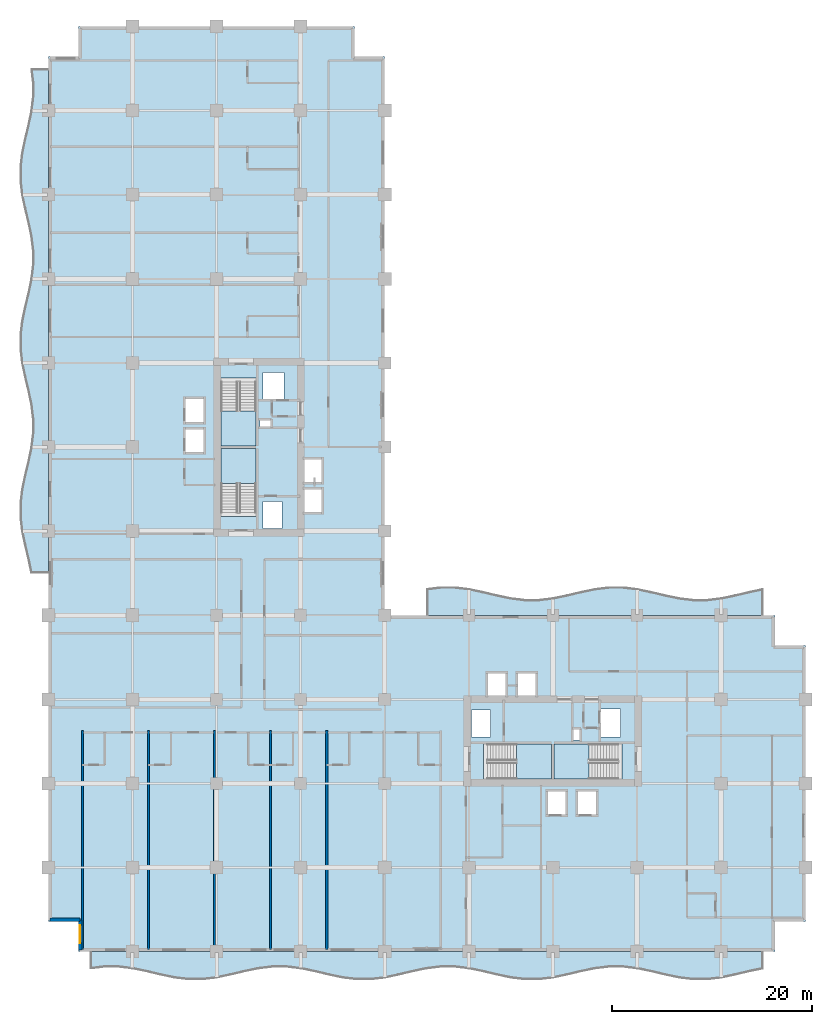
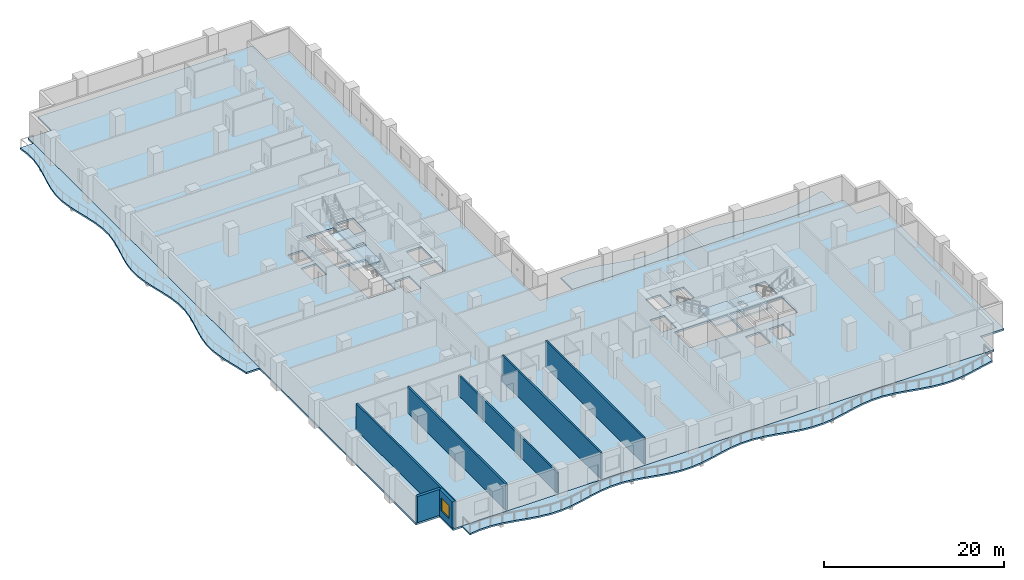
# One storey, part 3 of 17: 8 slabs, 7 walls, 1 window, 1 opening, 4 elements without a shape of their own.
"""IFC4 building model written with IfcOpenShell, lengths in metres."""

from ifc_helpers import new_model, si_unit, direction, frame, frame_2d, origin, place, context, subcontext, project, spatial, polyline, rectangle, outline, extrude, material, layer, layer_set, type_object, element, fill, aggregate, save


model = new_model("IFC4")

# Units and contexts
model_context = context("Model", 3, precision=1e-05, world=origin(), true_north=direction((0.0, 1.0)))
body_context = subcontext(model_context, "Body", "Model", "MODEL_VIEW")
ifc_project = project(units=[si_unit("LENGTHUNIT", "METRE"), si_unit("AREAUNIT", "SQUARE_METRE"), si_unit("VOLUMEUNIT", "CUBIC_METRE"), si_unit("PLANEANGLEUNIT", "RADIAN"), si_unit("MASSUNIT", "GRAM", prefix="KILO")], contexts=[model_context])

# Site, building, storey
site_placement = place(None, origin())
site = spatial("IfcSite", under=ifc_project, at=site_placement, CompositionType="ELEMENT")
building_placement = place(site_placement, origin())
building = spatial("IfcBuilding", under=site, at=building_placement, Name="Koriwani Terraces Tower", CompositionType="ELEMENT")
storey_placement = place(building_placement, frame((0.0, 0.0, 130.39990234375)))
storey = spatial("IfcBuildingStorey", under=building, at=storey_placement, Name="L31", CompositionType="ELEMENT", Elevation=130.39990234375)

# Slabs
ifc_material_1 = material(Name="Concrete C40/50", Category="concrete")
ifc_layer_1 = layer(ifc_material_1, 0.219970703125, Name="Concrete C40/50")
ifc_layer_set_1 = layer_set([ifc_layer_1], Name="Concrete C40/50")
slab_type_1 = type_object("IfcSlabType", Name="SLAB_BALCONY_220", PredefinedType="FLOOR", material=ifc_layer_set_1)
slab_1_placement = place(storey_placement, frame((0.0, 0.0, -0.219970703125)))
element("IfcSlab", 1, at=slab_1_placement, inside=storey, type_object=slab_type_1, Name="L31 Quilted Circular-Arc Balcony (S)", PredefinedType="FLOOR", context=body_context, shape_type="SweptSolid", body=[
    extrude(outline(polyline([(4.199951171875, 0.0), (5.60009765625, 0.0), (7.0, 0.0), (8.39990234375, 0.0), (9.800048828125, 0.0), (11.199951171875, 0.0), (12.60009765625, 0.0), (14.0, 0.0), (15.39990234375, 0.0), (16.800048828125, 0.0), (18.199951171875, 0.0), (19.60009765625, 0.0), (21.0, 0.0), (22.39990234375, 0.0), (23.800048828125, 0.0), (25.199951171875, 0.0), (26.60009765625, 0.0), (28.0, 0.0), (29.39990234375, 0.0), (30.800048828125, 0.0), (32.199951171875, 0.0), (33.60009765625, 0.0), (35.0, 0.0), (36.39990234375, 0.0), (37.800048828125, 0.0), (39.199951171875, 0.0), (40.60009765625, 0.0), (42.0, 0.0), (43.39990234375, 0.0), (44.800048828125, 0.0), (46.199951171875, 0.0), (47.60009765625, 0.0), (49.0, 0.0), (50.39990234375, 0.0), (51.800048828125, 0.0), (53.199951171875, 0.0), (54.60009765625, 0.0), (56.0, 0.0), (57.39990234375, 0.0), (58.800048828125, 0.0), (60.199951171875, 0.0), (61.60009765625, 0.0), (63.0, 0.0), (64.39990234375, 0.0), (65.800048828125, 0.0), (67.199951171875, 0.0), (68.60009765625, 0.0), (70.0, 0.0), (71.39990234375, 0.0), (71.39990234375, -1.740478515625), (70.0, -2.03173828125), (68.60009765625, -2.3681640625), (67.199951171875, -2.65966796875), (65.800048828125, -2.827880859375), (64.39990234375, -2.827880859375), (63.0, -2.65966796875), (61.60009765625, -2.3681640625), (60.199951171875, -2.03173828125), (58.800048828125, -1.740478515625), (57.39990234375, -1.572021484375), (56.0, -1.572021484375), (54.60009765625, -1.740478515625), (53.199951171875, -2.03173828125), (51.800048828125, -2.3681640625), (50.39990234375, -2.65966796875), (49.0, -2.827880859375), (47.60009765625, -2.827880859375), (46.199951171875, -2.65966796875), (44.800048828125, -2.3681640625), (43.39990234375, -2.03173828125), (42.0, -1.740478515625), (40.60009765625, -1.572021484375), (39.199951171875, -1.572021484375), (37.800048828125, -1.740478515625), (36.39990234375, -2.03173828125), (35.0, -2.3681640625), (33.60009765625, -2.65966796875), (32.199951171875, -2.827880859375), (30.800048828125, -2.827880859375), (29.39990234375, -2.65966796875), (28.0, -2.3681640625), (26.60009765625, -2.03173828125), (25.199951171875, -1.740478515625), (23.800048828125, -1.572021484375), (22.39990234375, -1.572021484375), (21.0, -1.740478515625), (19.60009765625, -2.03173828125), (18.199951171875, -2.3681640625), (16.800048828125, -2.65966796875), (15.39990234375, -2.827880859375), (14.0, -2.827880859375), (12.60009765625, -2.65966796875), (11.199951171875, -2.3681640625), (9.800048828125, -2.03173828125), (8.39990234375, -1.740478515625), (7.0, -1.572021484375), (5.60009765625, -1.572021484375), (4.199951171875, -1.740478515625), (4.199951171875, 0.0)])), origin(), (0.0, 0.0, 1.0), 0.219970703125),
])
slab_2_placement = place(storey_placement, frame((0.0, 0.0, -0.219970703125)))
element("IfcSlab", 2, at=slab_2_placement, inside=storey, type_object=slab_type_1, Name="L31 Quilted Circular-Arc Balcony (W)", PredefinedType="FLOOR", context=body_context, shape_type="SweptSolid", body=[
    extrude(outline(polyline([(0.0, 37.800048828125), (0.0, 39.199951171875), (0.0, 40.60009765625), (0.0, 42.0), (0.0, 43.39990234375), (0.0, 44.800048828125), (0.0, 46.199951171875), (0.0, 47.60009765625), (0.0, 49.0), (0.0, 50.39990234375), (0.0, 51.800048828125), (0.0, 53.199951171875), (0.0, 54.60009765625), (0.0, 56.0), (0.0, 57.39990234375), (0.0, 58.800048828125), (0.0, 60.199951171875), (0.0, 61.60009765625), (0.0, 63.0), (0.0, 64.39990234375), (0.0, 65.800048828125), (0.0, 67.199951171875), (0.0, 68.60009765625), (0.0, 70.0), (0.0, 71.39990234375), (0.0, 72.800048828125), (0.0, 74.199951171875), (0.0, 75.60009765625), (0.0, 77.0), (0.0, 78.39990234375), (0.0, 79.800048828125), (0.0, 81.199951171875), (0.0, 82.60009765625), (0.0, 84.0), (0.0, 85.39990234375), (0.0, 86.800048828125), (0.0, 88.199951171875), (-1.740478515625, 88.199951171875), (-1.572021484375, 86.800048828125), (-1.572021484375, 85.39990234375), (-1.740478515625, 84.0), (-2.03173828125, 82.60009765625), (-2.3681640625, 81.199951171875), (-2.65966796875, 79.800048828125), (-2.827880859375, 78.39990234375), (-2.827880859375, 77.0), (-2.65966796875, 75.60009765625), (-2.3681640625, 74.199951171875), (-2.03173828125, 72.800048828125), (-1.740478515625, 71.39990234375), (-1.572021484375, 70.0), (-1.572021484375, 68.60009765625), (-1.740478515625, 67.199951171875), (-2.03173828125, 65.800048828125), (-2.3681640625, 64.39990234375), (-2.65966796875, 63.0), (-2.827880859375, 61.60009765625), (-2.827880859375, 60.199951171875), (-2.65966796875, 58.800048828125), (-2.3681640625, 57.39990234375), (-2.03173828125, 56.0), (-1.740478515625, 54.60009765625), (-1.572021484375, 53.199951171875), (-1.572021484375, 51.800048828125), (-1.740478515625, 50.39990234375), (-2.03173828125, 49.0), (-2.3681640625, 47.60009765625), (-2.65966796875, 46.199951171875), (-2.827880859375, 44.800048828125), (-2.827880859375, 43.39990234375), (-2.65966796875, 42.0), (-2.3681640625, 40.60009765625), (-2.03173828125, 39.199951171875), (-1.740478515625, 37.800048828125), (0.0, 37.800048828125)])), origin(), (0.0, 0.0, 1.0), 0.219970703125),
])
slab_3_placement = place(storey_placement, frame((0.0, 0.0, -0.219970703125)))
element("IfcSlab", 3, at=slab_3_placement, inside=storey, type_object=slab_type_1, Name="L31 Quilted Circular-Arc Balcony (NE)", PredefinedType="FLOOR", context=body_context, shape_type="SweptSolid", body=[
    extrude(outline(polyline([(71.39990234375, 33.60009765625), (70.0, 33.60009765625), (68.60009765625, 33.60009765625), (67.199951171875, 33.60009765625), (65.800048828125, 33.60009765625), (64.39990234375, 33.60009765625), (63.0, 33.60009765625), (61.60009765625, 33.60009765625), (60.199951171875, 33.60009765625), (58.800048828125, 33.60009765625), (57.39990234375, 33.60009765625), (56.0, 33.60009765625), (54.60009765625, 33.60009765625), (53.199951171875, 33.60009765625), (51.800048828125, 33.60009765625), (50.39990234375, 33.60009765625), (49.0, 33.60009765625), (47.60009765625, 33.60009765625), (46.199951171875, 33.60009765625), (44.800048828125, 33.60009765625), (43.39990234375, 33.60009765625), (42.0, 33.60009765625), (40.60009765625, 33.60009765625), (39.199951171875, 33.60009765625), (37.800048828125, 33.60009765625), (37.800048828125, 36.259521484375), (39.199951171875, 36.427978515625), (40.60009765625, 36.427978515625), (42.0, 36.259521484375), (43.39990234375, 35.96826171875), (44.800048828125, 35.6318359375), (46.199951171875, 35.34033203125), (47.60009765625, 35.172119140625), (49.0, 35.172119140625), (50.39990234375, 35.34033203125), (51.800048828125, 35.6318359375), (53.199951171875, 35.96826171875), (54.60009765625, 36.259521484375), (56.0, 36.427978515625), (57.39990234375, 36.427978515625), (58.800048828125, 36.259521484375), (60.199951171875, 35.96826171875), (61.60009765625, 35.6318359375), (63.0, 35.34033203125), (64.39990234375, 35.172119140625), (65.800048828125, 35.172119140625), (67.199951171875, 35.34033203125), (68.60009765625, 35.6318359375), (70.0, 35.96826171875), (71.39990234375, 36.259521484375), (71.39990234375, 33.60009765625)])), origin(), (0.0, 0.0, 1.0), 0.219970703125),
])

# Stair, slab
stair_type = type_object("IfcStairType", Name="STAIR_CORE_DOGLEG_1650", PredefinedType="TWO_STRAIGHT_RUN_STAIR", material=ifc_material_1)
stair_1_placement = place(storey_placement, origin())
stair_1 = element("IfcStair", 4, at=stair_1_placement, inside=storey, type_object=stair_type, Name="L31 West Core Exit Stair 1", PredefinedType="HALF_TURN_STAIR")
ifc_layer_2 = layer(ifc_material_1, 0.199951171875, Name="Concrete C40/50")
ifc_layer_set_2 = layer_set([ifc_layer_2], Name="Concrete C40/50")
slab_type_2 = type_object("IfcSlabType", Name="SLAB_STAIR_LANDING_200", PredefinedType="LANDING", material=ifc_layer_set_2)
slab_4_placement = place(storey_placement, frame((0.0, 0.0, 1.7001953125)))
slab_4 = element("IfcSlab", 5, at=slab_4_placement, type_object=slab_type_2, Name="ST-W1 landing 1", PredefinedType="LANDING", context=body_context, shape_type="SweptSolid", body=[
    extrude(outline(polyline([(20.75, 46.75), (20.75, 50.25), (17.25, 50.25), (17.25, 46.75), (20.75, 46.75)])), origin(), (0.0, 0.0, 1.0), 0.199951171875),
])
aggregate(stair_1, [slab_4])

stair_2_placement = place(storey_placement, origin())
stair_2 = element("IfcStair", 6, at=stair_2_placement, inside=storey, type_object=stair_type, Name="L31 West Core Exit Stair 2", PredefinedType="HALF_TURN_STAIR")
slab_5_placement = place(storey_placement, frame((0.0, 0.0, 1.7001953125)))
slab_5 = element("IfcSlab", 7, at=slab_5_placement, type_object=slab_type_2, Name="ST-W2 landing 1", PredefinedType="LANDING", context=body_context, shape_type="SweptSolid", body=[
    extrude(outline(polyline([(17.25, 54.0), (17.25, 50.5), (20.75, 50.5), (20.75, 54.0), (17.25, 54.0)])), origin(), (0.0, 0.0, 1.0), 0.199951171875),
])
aggregate(stair_2, [slab_5])

stair_3_placement = place(storey_placement, origin())
stair_3 = element("IfcStair", 8, at=stair_3_placement, inside=storey, type_object=stair_type, Name="L31 East Core Exit Stair 1", PredefinedType="HALF_TURN_STAIR")
slab_6_placement = place(storey_placement, frame((0.0, 0.0, 1.7001953125)))
slab_6 = element("IfcSlab", 9, at=slab_6_placement, type_object=slab_type_2, Name="ST-E1 landing 1", PredefinedType="LANDING", context=body_context, shape_type="SweptSolid", body=[
    extrude(outline(polyline([(46.75, 17.25), (50.25, 17.25), (50.25, 20.75), (46.75, 20.75), (46.75, 17.25)])), origin(), (0.0, 0.0, 1.0), 0.199951171875),
])
aggregate(stair_3, [slab_6])

stair_4_placement = place(storey_placement, origin())
stair_4 = element("IfcStair", 10, at=stair_4_placement, inside=storey, type_object=stair_type, Name="L31 East Core Exit Stair 2", PredefinedType="HALF_TURN_STAIR")
slab_7_placement = place(storey_placement, frame((0.0, 0.0, 1.7001953125)))
slab_7 = element("IfcSlab", 11, at=slab_7_placement, type_object=slab_type_2, Name="ST-E2 landing 1", PredefinedType="LANDING", context=body_context, shape_type="SweptSolid", body=[
    extrude(outline(polyline([(54.0, 20.75), (50.5, 20.75), (50.5, 17.25), (54.0, 17.25), (54.0, 20.75)])), origin(), (0.0, 0.0, 1.0), 0.199951171875),
])
aggregate(stair_4, [slab_7])

# Slab
ifc_layer_3 = layer(ifc_material_1, 0.25, Name="Concrete C40/50")
ifc_layer_set_3 = layer_set([ifc_layer_3], Name="Concrete C40/50")
slab_type_3 = type_object("IfcSlabType", Name="SLAB_TOWER_TYP_250", PredefinedType="FLOOR", material=ifc_layer_set_3)
slab_8_placement = place(storey_placement, frame((0.0, 0.0, -0.25)))
element("IfcSlab", 12, at=slab_8_placement, inside=storey, type_object=slab_type_3, Name="L31 Structural Floor Slab", PredefinedType="FLOOR", context=body_context, shape_type="SweptSolid", body=[
    extrude(outline(polyline([(3.0, 0.0), (72.60009765625, 0.0), (72.60009765625, 3.0), (75.60009765625, 3.0), (75.60009765625, 30.60009765625), (72.60009765625, 30.60009765625), (72.60009765625, 33.60009765625), (33.60009765625, 33.60009765625), (33.60009765625, 89.39990234375), (30.60009765625, 89.39990234375), (30.60009765625, 92.39990234375), (3.0, 92.39990234375), (3.0, 89.39990234375), (0.0, 89.39990234375), (0.0, 3.0), (3.0, 3.0), (3.0, 0.0)]), holes=[polyline([(17.25, 43.4599609375), (20.75, 43.4599609375), (20.75, 50.25), (17.25, 50.25), (17.25, 43.4599609375)]), polyline([(17.25, 50.5), (20.75, 50.5), (20.75, 57.2900390625), (17.25, 57.2900390625), (17.25, 50.5)]), polyline([(43.4599609375, 17.25), (50.25, 17.25), (50.25, 20.75), (43.4599609375, 20.75), (43.4599609375, 17.25)]), polyline([(50.5, 17.25), (57.2900390625, 17.25), (57.2900390625, 20.75), (50.5, 20.75), (50.5, 17.25)]), polyline([(13.64990234375, 49.85009765625), (15.550048828125, 49.85009765625), (15.550048828125, 52.25), (13.64990234375, 52.25), (13.64990234375, 49.85009765625)]), polyline([(13.64990234375, 52.85009765625), (15.550048828125, 52.85009765625), (15.550048828125, 55.25), (13.64990234375, 55.25), (13.64990234375, 52.85009765625)]), polyline([(49.85009765625, 13.64990234375), (51.75, 13.64990234375), (51.75, 16.050048828125), (49.85009765625, 16.050048828125), (49.85009765625, 13.64990234375)]), polyline([(52.85009765625, 13.64990234375), (54.75, 13.64990234375), (54.75, 16.050048828125), (52.85009765625, 16.050048828125), (52.85009765625, 13.64990234375)]), polyline([(25.449951171875, 43.85009765625), (27.35009765625, 43.85009765625), (27.35009765625, 46.25), (25.449951171875, 46.25), (25.449951171875, 43.85009765625)]), polyline([(25.449951171875, 46.85009765625), (27.35009765625, 46.85009765625), (27.35009765625, 49.25), (25.449951171875, 49.25), (25.449951171875, 46.85009765625)]), polyline([(43.85009765625, 25.449951171875), (45.75, 25.449951171875), (45.75, 27.85009765625), (43.85009765625, 27.85009765625), (43.85009765625, 25.449951171875)]), polyline([(46.85009765625, 25.449951171875), (48.75, 25.449951171875), (48.75, 27.85009765625), (46.85009765625, 27.85009765625), (46.85009765625, 25.449951171875)]), polyline([(21.449951171875, 55.050048828125), (23.550048828125, 55.050048828125), (23.550048828125, 57.85009765625), (21.449951171875, 57.85009765625), (21.449951171875, 55.050048828125)]), polyline([(55.050048828125, 21.449951171875), (57.14990234375, 21.449951171875), (57.14990234375, 24.25), (55.050048828125, 24.25), (55.050048828125, 21.449951171875)]), polyline([(21.449951171875, 42.25), (23.35009765625, 42.25), (23.35009765625, 44.949951171875), (21.449951171875, 44.949951171875), (21.449951171875, 42.25)]), polyline([(42.25, 21.449951171875), (44.14990234375, 21.449951171875), (44.14990234375, 24.14990234375), (42.25, 24.14990234375), (42.25, 21.449951171875)]), polyline([(21.14990234375, 52.419921875), (22.219970703125, 52.419921875), (22.219970703125, 53.179931640625), (21.14990234375, 53.179931640625), (21.14990234375, 52.419921875)]), polyline([(52.419921875, 21.14990234375), (53.179931640625, 21.14990234375), (53.179931640625, 22.219970703125), (52.419921875, 22.219970703125), (52.419921875, 21.14990234375)])]), origin(), (0.0, 0.0, 1.0), 0.25),
])

# Walls
ifc_material_2 = material(Name="Autoclaved Cellular Concrete Blockwork", Category="masonry")
ifc_layer_4 = layer(ifc_material_2, 0.219970703125, Name="Autoclaved Cellular Concrete Blockwork")
ifc_layer_set_4 = layer_set([ifc_layer_4], Name="Autoclaved Cellular Concrete Blockwork")
wall_type_1 = type_object("IfcWallType", Name="WALL_DEMISING_220", PredefinedType="PARTITIONING", material=ifc_layer_set_4)
for number, where, z_axis, x_axis, name in (
    (13, (3.39990234375, 0.199951171875, 0.0), (0.0, 0.0, 1.0), (0.0, 1.0, 0.0), "L31 Interior Wall WDEM-L31-SW-0"),
    (14, (10.0, 0.199951171875, 0.0), (0.0, 0.0, 1.0), (0.0, 1.0, 0.0), "L31 Interior Wall WDEM-L31-SW-1"),
):
    element("IfcWall", number, at=place(storey_placement, frame(where, z_axis=z_axis, x_axis=x_axis)), inside=storey, type_object=wall_type_1, Name=name, PredefinedType="PARTITIONING", context=body_context, shape_type="SweptSolid", body=[
        extrude(rectangle(XDim=21.880126953125, YDim=0.219970703125, at=frame_2d((10.93994140625, 0.0))), origin(), (0.0, 0.0, 1.0), 3.550048828125),
    ])
wall_1_placement = place(storey_placement, frame((16.60009765625, 0.199951171875, 0.0), z_axis=(0.0, 0.0, 1.0), x_axis=(0.0, 1.0, 0.0)))
element("IfcWall", 15, at=wall_1_placement, inside=storey, type_object=wall_type_1, Name="L31 Interior Wall WDEM-L31-SW-2", PredefinedType="PARTITIONING", context=body_context, shape_type="SweptSolid", body=[
    extrude(rectangle(XDim=21.880126953125, YDim=0.219970703125, at=frame_2d((10.93994140625, 0.0))), origin(), (0.0, 0.0, 1.0), 2.800048828125),
])
for number, where, z_axis, x_axis, name in (
    (16, (22.199951171875, 0.199951171875, 0.0), (0.0, 0.0, 1.0), (0.0, 1.0, 0.0), "L31 Interior Wall WDEM-L31-SW-3"),
    (17, (27.800048828125, 0.199951171875, 0.0), (0.0, 0.0, 1.0), (0.0, 1.0, 0.0), "L31 Interior Wall WDEM-L31-SW-4"),
):
    element("IfcWall", number, at=place(storey_placement, frame(where, z_axis=z_axis, x_axis=x_axis)), inside=storey, type_object=wall_type_1, Name=name, PredefinedType="PARTITIONING", context=body_context, shape_type="SweptSolid", body=[
        extrude(rectangle(XDim=21.880126953125, YDim=0.219970703125, at=frame_2d((10.93994140625, 0.0))), origin(), (0.0, 0.0, 1.0), 3.550048828125),
    ])

# Wall, opening, window
ifc_material_3 = material(Name="Concrete C50/60", Category="concrete")
ifc_layer_5 = layer(ifc_material_3, 0.35009765625, Name="Concrete C50/60")
ifc_layer_set_5 = layer_set([ifc_layer_5], Name="Concrete C50/60")
wall_type_2 = type_object("IfcWallType", Name="WALL_EXT_BRUTALIST_350", PredefinedType="STANDARD", material=ifc_layer_set_5)
wall_2_placement = place(storey_placement, frame((3.175048828125, 0.175048828125, 0.0), z_axis=(0.0, 0.0, 1.0), x_axis=(0.0, 1.0, 0.0)))
wall_2 = element("IfcWall", 18, at=wall_2_placement, inside=storey, type_object=wall_type_2, Name="L31 Fair-Faced Brutalist Exterior Wall (N0)", PredefinedType="STANDARD", context=body_context, shape_type="SweptSolid", body=[
    extrude(rectangle(XDim=3.0, YDim=0.35009765625, at=frame_2d((1.5, 0.0))), origin(), (0.0, 0.0, 1.0), 3.550048828125),
])
opening_placement = place(wall_2_placement, frame((0.677490234375, 0.0, 0.85009765625)))
opening = element("IfcOpeningElement", 19, at=opening_placement, cuts=wall_2, Name="Opening W-04", PredefinedType="OPENING", context=body_context, shape_type="SweptSolid", body=[
    extrude(rectangle(XDim=1.800048828125, YDim=1.800048828125, at=frame_2d((0.89990234375, 0.89990234375))), frame((0.0, 0.18505859375, 0.0), z_axis=(0.0, -1.0, 0.0), x_axis=(1.0, 0.0, 0.0)), (0.0, 0.0, 1.0), 0.3701171875),
])
ifc_material_4 = material(Name="Tempered Laminated Low-E Glass", Category="glass")
window_type = type_object("IfcWindowType", Name="WIN_RES_BED_1800X1800", PartitioningType="DOUBLE_PANEL_VERTICAL", PredefinedType="WINDOW", material=ifc_material_4)
window_placement = place(opening_placement, origin())
window = element("IfcWindow", 20, at=window_placement, inside=storey, type_object=window_type, Name="L31 Exterior Window (N0-R34)", OverallHeight=1.800048828125, OverallWidth=1.800048828125, PartitioningType="SINGLE_PANEL", PredefinedType="WINDOW", context=body_context, shape_type="SweptSolid", body=[
    extrude(rectangle(XDim=1.800048828125, YDim=1.800048828125, at=frame_2d((0.89990234375, 0.89990234375))), frame((0.0, 0.030029296875, 0.0), z_axis=(0.0, -1.0, 0.0), x_axis=(1.0, 0.0, 0.0)), (0.0, 0.0, 1.0), 0.06005859375),
])
fill(opening, window)

# Wall
wall_3_placement = place(storey_placement, frame((3.175048828125, 3.175048828125, 0.0), z_axis=(0.0, 0.0, 1.0), x_axis=(-1.0, 0.0, 0.0)))
element("IfcWall", 21, at=wall_3_placement, inside=storey, type_object=wall_type_2, Name="L31 Fair-Faced Brutalist Exterior Wall (N1)", PredefinedType="STANDARD", context=body_context, shape_type="SweptSolid", body=[
    extrude(rectangle(XDim=3.0, YDim=0.35009765625, at=frame_2d((1.5, 0.0))), origin(), (0.0, 0.0, 1.0), 3.550048828125),
])

save(model, "model.ifc")
